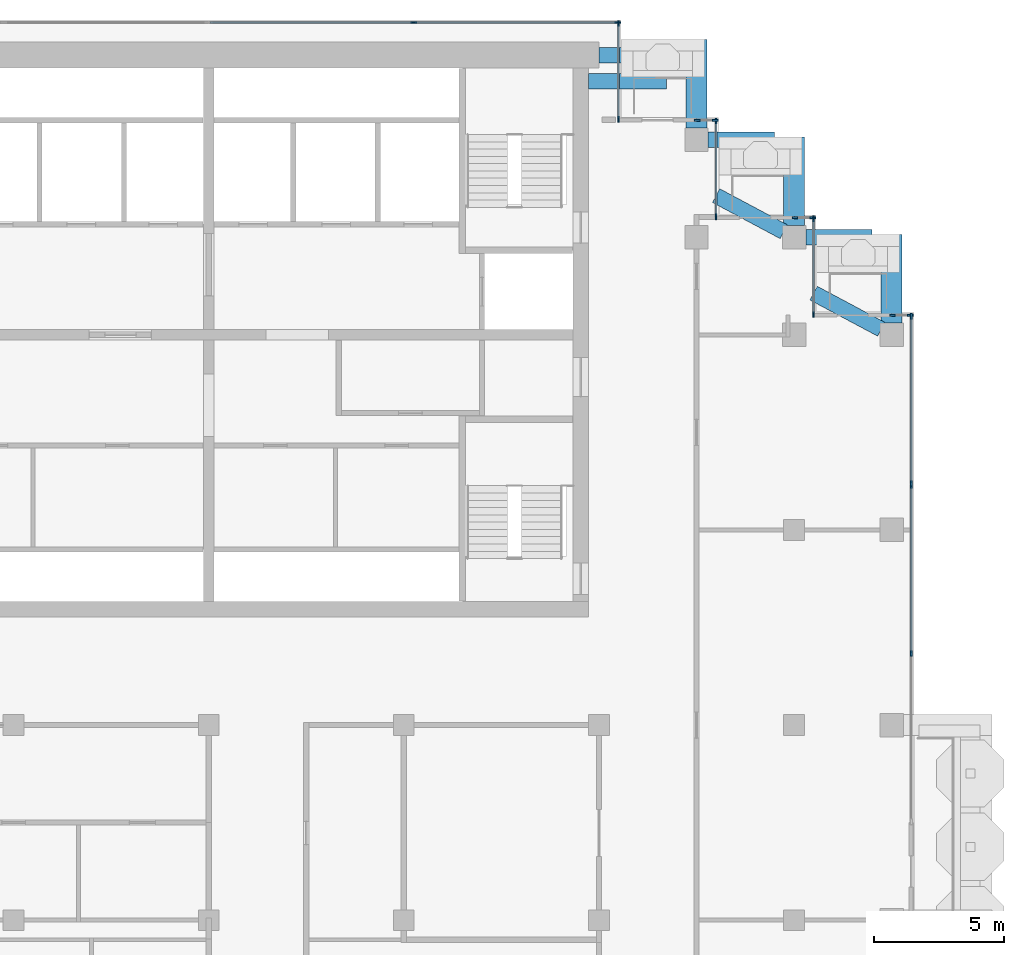
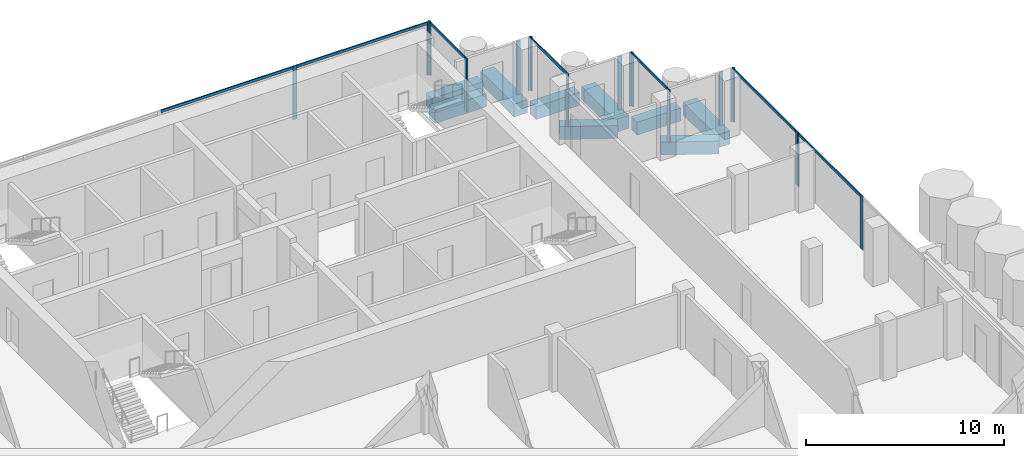
# One storey, part 6 of 18: 25 members, 9 beams, 9 elements without a shape of their own.
"""IFC4 building model written with IfcOpenShell, lengths in metres."""

from ifc_helpers import new_model, si_unit, direction, frame, origin, origin_2d, place, context, subcontext, project, spatial, rectangle, extrude, material, material_profile, profile_set, type_object, element, aggregate, save


model = new_model("IFC4")

# Units and contexts
model_context = context("Model", 3, precision=1e-05, world=origin(), true_north=direction((0.0, 1.0)))
body_context = subcontext(model_context, "Body", "Model", "MODEL_VIEW")
ifc_project = project(units=[si_unit("LENGTHUNIT", "METRE"), si_unit("AREAUNIT", "SQUARE_METRE"), si_unit("VOLUMEUNIT", "CUBIC_METRE"), si_unit("PLANEANGLEUNIT", "RADIAN"), si_unit("MASSUNIT", "GRAM", prefix="KILO")], contexts=[model_context])

# Site, building, storey
site_placement = place(None, origin())
site = spatial("IfcSite", under=ifc_project, at=site_placement, CompositionType="ELEMENT")
building_placement = place(site_placement, origin())
building = spatial("IfcBuilding", under=site, at=building_placement, Name="Pilkhan Gate Tower", CompositionType="ELEMENT")
storey_placement = place(building_placement, frame((0.0, 0.0, 235.5)))
storey = spatial("IfcBuildingStorey", under=building, at=storey_placement, Name="L61", CompositionType="ELEMENT", Elevation=235.5)

# Beams
ifc_material_1 = material(Name="Concrete C50/60", Category="concrete")
ifc_material_profile_1 = material_profile(ifc_material_1, rectangle(XDim=0.60009765625, YDim=0.800048828125, at=origin_2d()), Name="RC 600x800")
ifc_profile_set_1 = profile_set([ifc_material_profile_1], Name="Concrete C50/60")
beam_type_1 = type_object("IfcBeamType", Name="Cantilever beam CB1 RC 600x800 C50/60", PredefinedType="BEAM", material=ifc_profile_set_1)
for number, where, z_axis, x_axis, name in (
    (1, (90.0, 93.25, -0.699951171875), (1.0, 0.0, 0.0), (0.0, 1.0, 0.0), "Balcony beam NE.2 L61"),
    (2, (89.60009765625, 92.25, -0.699951171875), (1.0, 0.0, 0.0), (0.0, 1.0, 0.0), "Balcony beam NE.3 L61"),
):
    element("IfcBeam", number, at=place(storey_placement, frame(where, z_axis=z_axis, x_axis=x_axis)), inside=storey, type_object=beam_type_1, Name=name, PredefinedType="BEAM", context=body_context, shape_type="SweptSolid", body=[
        extrude(rectangle(XDim=0.60009765625, YDim=0.800048828125, at=origin_2d()), origin(), (0.0, 0.0, 1.0), 3.0),
    ])
beam_1_placement = place(storey_placement, frame((94.199951171875, 90.0, -0.699951171875), z_axis=(1.0, 0.0, 0.0), x_axis=(0.0, 1.0, 0.0)))
element("IfcBeam", 3, at=beam_1_placement, inside=storey, type_object=beam_type_1, Name="Balcony beam NE1.2 L61", PredefinedType="BEAM", context=body_context, shape_type="SweptSolid", body=[
    extrude(rectangle(XDim=0.60009765625, YDim=0.800048828125, at=origin_2d()), origin(), (0.0, 0.0, 1.0), 2.550048828125),
])
beam_2_placement = place(storey_placement, frame((97.10302734375, 86.461669921875, -0.699951171875), z_axis=(-0.882332323202, 0.470626891957, 0.0), x_axis=(-0.470626891957, -0.882332323202, 0.0)))
element("IfcBeam", 4, at=beam_2_placement, inside=storey, type_object=beam_type_1, Name="Balcony beam NE1.3 L61", PredefinedType="BEAM", context=body_context, shape_type="SweptSolid", body=[
    extrude(rectangle(XDim=0.60009765625, YDim=0.800048828125, at=origin_2d()), origin(), (0.0, 0.0, 1.0), 2.9501953125),
])
beam_3_placement = place(storey_placement, frame((97.949951171875, 86.25, -0.699951171875), z_axis=(1.0, 0.0, 0.0), x_axis=(0.0, 1.0, 0.0)))
element("IfcBeam", 5, at=beam_3_placement, inside=storey, type_object=beam_type_1, Name="Balcony beam NE2.2 L61", PredefinedType="BEAM", context=body_context, shape_type="SweptSolid", body=[
    extrude(rectangle(XDim=0.60009765625, YDim=0.800048828125, at=origin_2d()), origin(), (0.0, 0.0, 1.0), 2.550048828125),
])
beam_4_placement = place(storey_placement, frame((100.85302734375, 82.711669921875, -0.699951171875), z_axis=(-0.882332323202, 0.470626891957, 0.0), x_axis=(-0.470626891957, -0.882332323202, 0.0)))
element("IfcBeam", 6, at=beam_4_placement, inside=storey, type_object=beam_type_1, Name="Balcony beam NE2.3 L61", PredefinedType="BEAM", context=body_context, shape_type="SweptSolid", body=[
    extrude(rectangle(XDim=0.60009765625, YDim=0.800048828125, at=origin_2d()), origin(), (0.0, 0.0, 1.0), 2.9501953125),
])
ifc_material_profile_2 = material_profile(ifc_material_1, rectangle(XDim=0.800048828125, YDim=0.800048828125, at=origin_2d()), Name="RC 800x800")
ifc_profile_set_2 = profile_set([ifc_material_profile_2], Name="Concrete C50/60")
beam_type_2 = type_object("IfcBeamType", Name="Cantilever beam CB2 RC 800x800 C50/60", PredefinedType="BEAM", material=ifc_profile_set_2)
for number, where, z_axis, x_axis, name in (
    (7, (93.75, 90.449951171875, -0.699951171875), (0.0, 1.0, 0.0), (-1.0, 0.0, 0.0), "Balcony beam NE.1 L61"),
    (8, (97.5, 86.699951171875, -0.699951171875), (0.0, 1.0, 0.0), (-1.0, 0.0, 0.0), "Balcony beam NE1.1 L61"),
    (9, (101.25, 82.949951171875, -0.699951171875), (0.0, 1.0, 0.0), (-1.0, 0.0, 0.0), "Balcony beam NE2.1 L61"),
):
    element("IfcBeam", number, at=place(storey_placement, frame(where, z_axis=z_axis, x_axis=x_axis)), inside=storey, type_object=beam_type_2, Name=name, PredefinedType="BEAM", context=body_context, shape_type="SweptSolid", body=[
        extrude(rectangle(XDim=0.800048828125, YDim=0.800048828125, at=origin_2d()), origin(), (0.0, 0.0, 1.0), 3.400146484375),
    ])

# Curtain wall, members
ifc_material_2 = material(Name="Pale anodised aluminium, clear low-iron double glazing", Category="aluminium")
curtain_wall_type = type_object("IfcCurtainWallType", Name="Office unitised curtain wall CW-O2", PredefinedType="USERDEFINED", material=ifc_material_2)
curtain_wall_1_placement = place(storey_placement, origin())
curtain_wall_1 = element("IfcCurtainWall", 10, at=curtain_wall_1_placement, inside=storey, type_object=curtain_wall_type, Name="Office unitised curtain wall CW-O2 L61 E", ObjectType="UNITISED CURTAIN WALL", PredefinedType="USERDEFINED")
ifc_material_3 = material(Name="Pale anodised aluminium", Category="aluminium")
ifc_material_profile_3 = material_profile(ifc_material_3, rectangle(XDim=0.06494140625, YDim=0.22509765625, at=origin_2d()), Name="Mullion 225x65")
ifc_profile_set_3 = profile_set([ifc_material_profile_3], Name="Pale anodised aluminium")
member_type_1 = type_object("IfcMemberType", Name="Mullion CW-O2 225x65", PredefinedType="MULLION", material=ifc_profile_set_3)
member_1_placement = place(storey_placement, frame((102.0, 70.25, 0.0), z_axis=(0.0, 0.0, 1.0), x_axis=(-1.0, 0.0, 0.0)))
member_1 = element("IfcMember", 11, at=member_1_placement, type_object=member_type_1, Name="CW-O2 mullion 2", PredefinedType="MULLION", context=body_context, shape_type="SweptSolid", body=[
    extrude(rectangle(XDim=0.06494140625, YDim=0.22509765625, at=origin_2d()), origin(), (0.0, 0.0, 1.0), 3.300048828125),
])
member_2_placement = place(storey_placement, frame((102.0, 76.717529296875, 0.0), z_axis=(0.0, 0.0, 1.0), x_axis=(-1.0, 0.0, 0.0)))
member_2 = element("IfcMember", 12, at=member_2_placement, type_object=member_type_1, Name="CW-O2 mullion 3", PredefinedType="MULLION", context=body_context, shape_type="SweptSolid", body=[
    extrude(rectangle(XDim=0.06494140625, YDim=0.22509765625, at=origin_2d()), origin(), (0.0, 0.0, 1.0), 3.300048828125),
])

curtain_wall_2_placement = place(storey_placement, origin())
curtain_wall_2 = element("IfcCurtainWall", 13, at=curtain_wall_2_placement, inside=storey, type_object=curtain_wall_type, Name="Office unitised curtain wall CW-O2 L61 E", ObjectType="UNITISED CURTAIN WALL", PredefinedType="USERDEFINED")
member_3_placement = place(storey_placement, frame((102.0, 76.782470703125, 0.0), z_axis=(0.0, 0.0, 1.0), x_axis=(-1.0, 0.0, 0.0)))
member_3 = element("IfcMember", 14, at=member_3_placement, type_object=member_type_1, Name="CW-O2 mullion 1", PredefinedType="MULLION", context=body_context, shape_type="SweptSolid", body=[
    extrude(rectangle(XDim=0.06494140625, YDim=0.22509765625, at=origin_2d()), origin(), (0.0, 0.0, 1.0), 3.300048828125),
])
member_4_placement = place(storey_placement, frame((102.0, 83.217529296875, 0.0), z_axis=(0.0, 0.0, 1.0), x_axis=(-1.0, 0.0, 0.0)))
member_4 = element("IfcMember", 15, at=member_4_placement, type_object=member_type_1, Name="CW-O2 mullion 2", PredefinedType="MULLION", context=body_context, shape_type="SweptSolid", body=[
    extrude(rectangle(XDim=0.06494140625, YDim=0.22509765625, at=origin_2d()), origin(), (0.0, 0.0, 1.0), 3.300048828125),
])

curtain_wall_3_placement = place(storey_placement, origin())
curtain_wall_3 = element("IfcCurtainWall", 16, at=curtain_wall_3_placement, inside=storey, type_object=curtain_wall_type, Name="Office unitised curtain wall CW-O2 L61 N", ObjectType="UNITISED CURTAIN WALL", PredefinedType="USERDEFINED")
member_5_placement = place(storey_placement, frame((101.282470703125, 83.25, 0.0), z_axis=(0.0, 0.0, 1.0), x_axis=(0.0, 1.0, 0.0)))
member_5 = element("IfcMember", 17, at=member_5_placement, type_object=member_type_1, Name="CW-O2 mullion 1", PredefinedType="MULLION", context=body_context, shape_type="SweptSolid", body=[
    extrude(rectangle(XDim=0.06494140625, YDim=0.22509765625, at=origin_2d()), origin(), (0.0, 0.0, 1.0), 3.300048828125),
])
member_6_placement = place(storey_placement, frame((101.967529296875, 83.25, 0.0), z_axis=(0.0, 0.0, 1.0), x_axis=(0.0, 1.0, 0.0)))
member_6 = element("IfcMember", 18, at=member_6_placement, type_object=member_type_1, Name="CW-O2 mullion 2", PredefinedType="MULLION", context=body_context, shape_type="SweptSolid", body=[
    extrude(rectangle(XDim=0.06494140625, YDim=0.22509765625, at=origin_2d()), origin(), (0.0, 0.0, 1.0), 3.300048828125),
])
aggregate(curtain_wall_3, [member_5, member_6])

curtain_wall_4_placement = place(storey_placement, origin())
curtain_wall_4 = element("IfcCurtainWall", 19, at=curtain_wall_4_placement, inside=storey, type_object=curtain_wall_type, Name="Office unitised curtain wall CW-O2 L61 E", ObjectType="UNITISED CURTAIN WALL", PredefinedType="USERDEFINED")
member_7_placement = place(storey_placement, frame((98.25, 83.282470703125, 0.0), z_axis=(0.0, 0.0, 1.0), x_axis=(-1.0, 0.0, 0.0)))
member_7 = element("IfcMember", 20, at=member_7_placement, type_object=member_type_1, Name="CW-O2 mullion 1", PredefinedType="MULLION", context=body_context, shape_type="SweptSolid", body=[
    extrude(rectangle(XDim=0.06494140625, YDim=0.22509765625, at=origin_2d()), origin(), (0.0, 0.0, 1.0), 3.300048828125),
])
member_8_placement = place(storey_placement, frame((98.25, 86.967529296875, 0.0), z_axis=(0.0, 0.0, 1.0), x_axis=(-1.0, 0.0, 0.0)))
member_8 = element("IfcMember", 21, at=member_8_placement, type_object=member_type_1, Name="CW-O2 mullion 2", PredefinedType="MULLION", context=body_context, shape_type="SweptSolid", body=[
    extrude(rectangle(XDim=0.06494140625, YDim=0.22509765625, at=origin_2d()), origin(), (0.0, 0.0, 1.0), 3.300048828125),
])

curtain_wall_5_placement = place(storey_placement, origin())
curtain_wall_5 = element("IfcCurtainWall", 22, at=curtain_wall_5_placement, inside=storey, type_object=curtain_wall_type, Name="Office unitised curtain wall CW-O2 L61 N", ObjectType="UNITISED CURTAIN WALL", PredefinedType="USERDEFINED")
member_9_placement = place(storey_placement, frame((97.532470703125, 87.0, 0.0), z_axis=(0.0, 0.0, 1.0), x_axis=(0.0, 1.0, 0.0)))
member_9 = element("IfcMember", 23, at=member_9_placement, type_object=member_type_1, Name="CW-O2 mullion 1", PredefinedType="MULLION", context=body_context, shape_type="SweptSolid", body=[
    extrude(rectangle(XDim=0.06494140625, YDim=0.22509765625, at=origin_2d()), origin(), (0.0, 0.0, 1.0), 3.300048828125),
])
member_10_placement = place(storey_placement, frame((98.217529296875, 87.0, 0.0), z_axis=(0.0, 0.0, 1.0), x_axis=(0.0, 1.0, 0.0)))
member_10 = element("IfcMember", 24, at=member_10_placement, type_object=member_type_1, Name="CW-O2 mullion 2", PredefinedType="MULLION", context=body_context, shape_type="SweptSolid", body=[
    extrude(rectangle(XDim=0.06494140625, YDim=0.22509765625, at=origin_2d()), origin(), (0.0, 0.0, 1.0), 3.300048828125),
])
aggregate(curtain_wall_5, [member_9, member_10])

curtain_wall_6_placement = place(storey_placement, origin())
curtain_wall_6 = element("IfcCurtainWall", 25, at=curtain_wall_6_placement, inside=storey, type_object=curtain_wall_type, Name="Office unitised curtain wall CW-O2 L61 E", ObjectType="UNITISED CURTAIN WALL", PredefinedType="USERDEFINED")
member_11_placement = place(storey_placement, frame((94.5, 87.032470703125, 0.0), z_axis=(0.0, 0.0, 1.0), x_axis=(-1.0, 0.0, 0.0)))
member_11 = element("IfcMember", 26, at=member_11_placement, type_object=member_type_1, Name="CW-O2 mullion 1", PredefinedType="MULLION", context=body_context, shape_type="SweptSolid", body=[
    extrude(rectangle(XDim=0.06494140625, YDim=0.22509765625, at=origin_2d()), origin(), (0.0, 0.0, 1.0), 3.300048828125),
])
member_12_placement = place(storey_placement, frame((94.5, 90.717529296875, 0.0), z_axis=(0.0, 0.0, 1.0), x_axis=(-1.0, 0.0, 0.0)))
member_12 = element("IfcMember", 27, at=member_12_placement, type_object=member_type_1, Name="CW-O2 mullion 2", PredefinedType="MULLION", context=body_context, shape_type="SweptSolid", body=[
    extrude(rectangle(XDim=0.06494140625, YDim=0.22509765625, at=origin_2d()), origin(), (0.0, 0.0, 1.0), 3.300048828125),
])

curtain_wall_7_placement = place(storey_placement, origin())
curtain_wall_7 = element("IfcCurtainWall", 28, at=curtain_wall_7_placement, inside=storey, type_object=curtain_wall_type, Name="Office unitised curtain wall CW-O2 L61 N", ObjectType="UNITISED CURTAIN WALL", PredefinedType="USERDEFINED")
member_13_placement = place(storey_placement, frame((93.782470703125, 90.75, 0.0), z_axis=(0.0, 0.0, 1.0), x_axis=(0.0, 1.0, 0.0)))
member_13 = element("IfcMember", 29, at=member_13_placement, type_object=member_type_1, Name="CW-O2 mullion 1", PredefinedType="MULLION", context=body_context, shape_type="SweptSolid", body=[
    extrude(rectangle(XDim=0.06494140625, YDim=0.22509765625, at=origin_2d()), origin(), (0.0, 0.0, 1.0), 3.300048828125),
])
member_14_placement = place(storey_placement, frame((94.467529296875, 90.75, 0.0), z_axis=(0.0, 0.0, 1.0), x_axis=(0.0, 1.0, 0.0)))
member_14 = element("IfcMember", 30, at=member_14_placement, type_object=member_type_1, Name="CW-O2 mullion 2", PredefinedType="MULLION", context=body_context, shape_type="SweptSolid", body=[
    extrude(rectangle(XDim=0.06494140625, YDim=0.22509765625, at=origin_2d()), origin(), (0.0, 0.0, 1.0), 3.300048828125),
])
aggregate(curtain_wall_7, [member_13, member_14])

curtain_wall_8_placement = place(storey_placement, origin())
curtain_wall_8 = element("IfcCurtainWall", 31, at=curtain_wall_8_placement, inside=storey, type_object=curtain_wall_type, Name="Office unitised curtain wall CW-O2 L61 E", ObjectType="UNITISED CURTAIN WALL", PredefinedType="USERDEFINED")
member_15_placement = place(storey_placement, frame((90.75, 90.782470703125, 0.0), z_axis=(0.0, 0.0, 1.0), x_axis=(-1.0, 0.0, 0.0)))
member_15 = element("IfcMember", 32, at=member_15_placement, type_object=member_type_1, Name="CW-O2 mullion 1", PredefinedType="MULLION", context=body_context, shape_type="SweptSolid", body=[
    extrude(rectangle(XDim=0.06494140625, YDim=0.22509765625, at=origin_2d()), origin(), (0.0, 0.0, 1.0), 3.300048828125),
])
member_16_placement = place(storey_placement, frame((90.75, 94.467529296875, 0.0), z_axis=(0.0, 0.0, 1.0), x_axis=(-1.0, 0.0, 0.0)))
member_16 = element("IfcMember", 33, at=member_16_placement, type_object=member_type_1, Name="CW-O2 mullion 2", PredefinedType="MULLION", context=body_context, shape_type="SweptSolid", body=[
    extrude(rectangle(XDim=0.06494140625, YDim=0.22509765625, at=origin_2d()), origin(), (0.0, 0.0, 1.0), 3.300048828125),
])

curtain_wall_9_placement = place(storey_placement, origin())
curtain_wall_9 = element("IfcCurtainWall", 34, at=curtain_wall_9_placement, inside=storey, type_object=curtain_wall_type, Name="Office unitised curtain wall CW-O2 L61 N", ObjectType="UNITISED CURTAIN WALL", PredefinedType="USERDEFINED")
member_17_placement = place(storey_placement, frame((82.875, 94.5, 0.0), z_axis=(0.0, 0.0, 1.0), x_axis=(0.0, 1.0, 0.0)))
member_17 = element("IfcMember", 35, at=member_17_placement, type_object=member_type_1, Name="CW-O2 mullion 2", PredefinedType="MULLION", context=body_context, shape_type="SweptSolid", body=[
    extrude(rectangle(XDim=0.06494140625, YDim=0.22509765625, at=origin_2d()), origin(), (0.0, 0.0, 1.0), 3.300048828125),
])
member_18_placement = place(storey_placement, frame((90.717529296875, 94.5, 0.0), z_axis=(0.0, 0.0, 1.0), x_axis=(0.0, 1.0, 0.0)))
member_18 = element("IfcMember", 36, at=member_18_placement, type_object=member_type_1, Name="CW-O2 mullion 3", PredefinedType="MULLION", context=body_context, shape_type="SweptSolid", body=[
    extrude(rectangle(XDim=0.06494140625, YDim=0.22509765625, at=origin_2d()), origin(), (0.0, 0.0, 1.0), 3.300048828125),
])

# Member
ifc_material_profile_4 = material_profile(ifc_material_3, rectangle(XDim=0.06494140625, YDim=0.1650390625, at=origin_2d()), Name="Transom 165x65")
ifc_profile_set_4 = profile_set([ifc_material_profile_4], Name="Pale anodised aluminium")
member_type_2 = type_object("IfcMemberType", Name="Transom CW-O2 165x65", PredefinedType="USERDEFINED", material=ifc_profile_set_4)
member_19_placement = place(storey_placement, frame((102.0, 70.282470703125, 3.217529296875), z_axis=(0.0, 1.0, 0.0), x_axis=(-1.0, 0.0, 0.0)))
member_19 = element("IfcMember", 37, at=member_19_placement, type_object=member_type_2, Name="CW-O2 transom 2", ObjectType="TRANSOM", PredefinedType="USERDEFINED", context=body_context, shape_type="SweptSolid", body=[
    extrude(rectangle(XDim=0.06494140625, YDim=0.1650390625, at=origin_2d()), origin(), (0.0, 0.0, 1.0), 6.402587890625),
])

aggregate(curtain_wall_1, [member_1, member_2, member_19])

member_20_placement = place(storey_placement, frame((102.0, 76.81494140625, 3.217529296875), z_axis=(0.0, 1.0, 0.0), x_axis=(-1.0, 0.0, 0.0)))
member_20 = element("IfcMember", 38, at=member_20_placement, type_object=member_type_2, Name="CW-O2 transom 1", ObjectType="TRANSOM", PredefinedType="USERDEFINED", context=body_context, shape_type="SweptSolid", body=[
    extrude(rectangle(XDim=0.06494140625, YDim=0.1650390625, at=origin_2d()), origin(), (0.0, 0.0, 1.0), 6.3701171875),
])

aggregate(curtain_wall_2, [member_3, member_4, member_20])

member_21_placement = place(storey_placement, frame((98.25, 83.31494140625, 3.217529296875), z_axis=(0.0, 1.0, 0.0), x_axis=(-1.0, 0.0, 0.0)))
member_21 = element("IfcMember", 39, at=member_21_placement, type_object=member_type_2, Name="CW-O2 transom 1", ObjectType="TRANSOM", PredefinedType="USERDEFINED", context=body_context, shape_type="SweptSolid", body=[
    extrude(rectangle(XDim=0.06494140625, YDim=0.1650390625, at=origin_2d()), origin(), (0.0, 0.0, 1.0), 3.6201171875),
])

aggregate(curtain_wall_4, [member_7, member_8, member_21])

member_22_placement = place(storey_placement, frame((94.5, 87.06494140625, 3.217529296875), z_axis=(0.0, 1.0, 0.0), x_axis=(-1.0, 0.0, 0.0)))
member_22 = element("IfcMember", 40, at=member_22_placement, type_object=member_type_2, Name="CW-O2 transom 1", ObjectType="TRANSOM", PredefinedType="USERDEFINED", context=body_context, shape_type="SweptSolid", body=[
    extrude(rectangle(XDim=0.06494140625, YDim=0.1650390625, at=origin_2d()), origin(), (0.0, 0.0, 1.0), 3.6201171875),
])

aggregate(curtain_wall_6, [member_11, member_12, member_22])

member_23_placement = place(storey_placement, frame((90.75, 90.81494140625, 3.217529296875), z_axis=(0.0, 1.0, 0.0), x_axis=(-1.0, 0.0, 0.0)))
member_23 = element("IfcMember", 41, at=member_23_placement, type_object=member_type_2, Name="CW-O2 transom 1", ObjectType="TRANSOM", PredefinedType="USERDEFINED", context=body_context, shape_type="SweptSolid", body=[
    extrude(rectangle(XDim=0.06494140625, YDim=0.1650390625, at=origin_2d()), origin(), (0.0, 0.0, 1.0), 3.6201171875),
])

aggregate(curtain_wall_8, [member_15, member_16, member_23])

member_24_placement = place(storey_placement, frame((75.06494140625, 94.5, 3.217529296875), z_axis=(1.0, 0.0, 0.0), x_axis=(0.0, 1.0, 0.0)))
member_24 = element("IfcMember", 42, at=member_24_placement, type_object=member_type_2, Name="CW-O2 transom 1", ObjectType="TRANSOM", PredefinedType="USERDEFINED", context=body_context, shape_type="SweptSolid", body=[
    extrude(rectangle(XDim=0.06494140625, YDim=0.1650390625, at=origin_2d()), origin(), (0.0, 0.0, 1.0), 7.777587890625),
])

member_25_placement = place(storey_placement, frame((82.907470703125, 94.5, 3.217529296875), z_axis=(1.0, 0.0, 0.0), x_axis=(0.0, 1.0, 0.0)))
member_25 = element("IfcMember", 43, at=member_25_placement, type_object=member_type_2, Name="CW-O2 transom 2", ObjectType="TRANSOM", PredefinedType="USERDEFINED", context=body_context, shape_type="SweptSolid", body=[
    extrude(rectangle(XDim=0.06494140625, YDim=0.1650390625, at=origin_2d()), origin(), (0.0, 0.0, 1.0), 7.777587890625),
])

aggregate(curtain_wall_9, [member_17, member_18, member_24, member_25])

save(model, "model.ifc")
